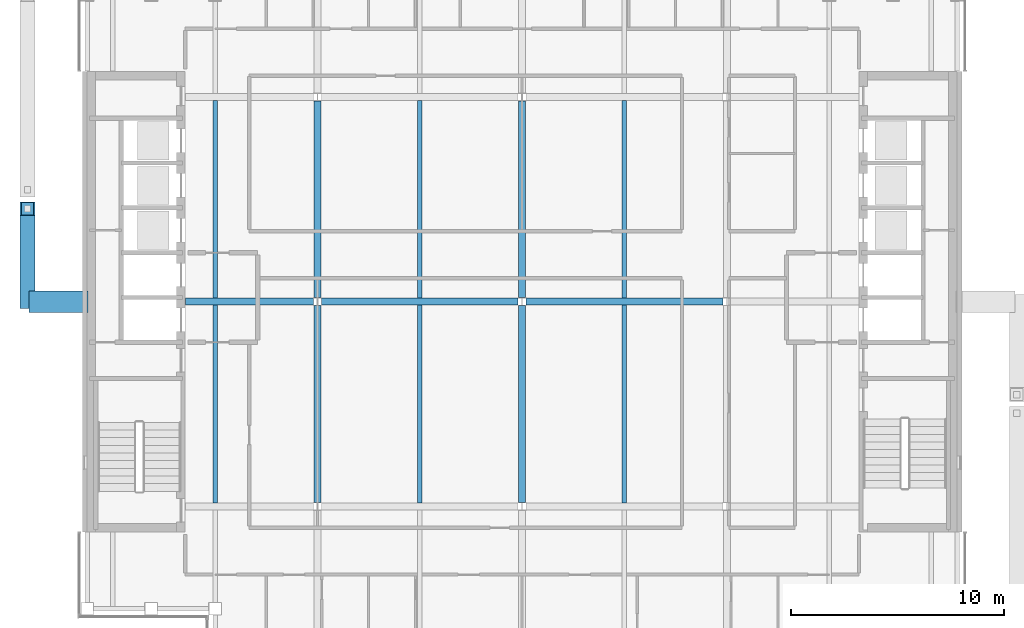
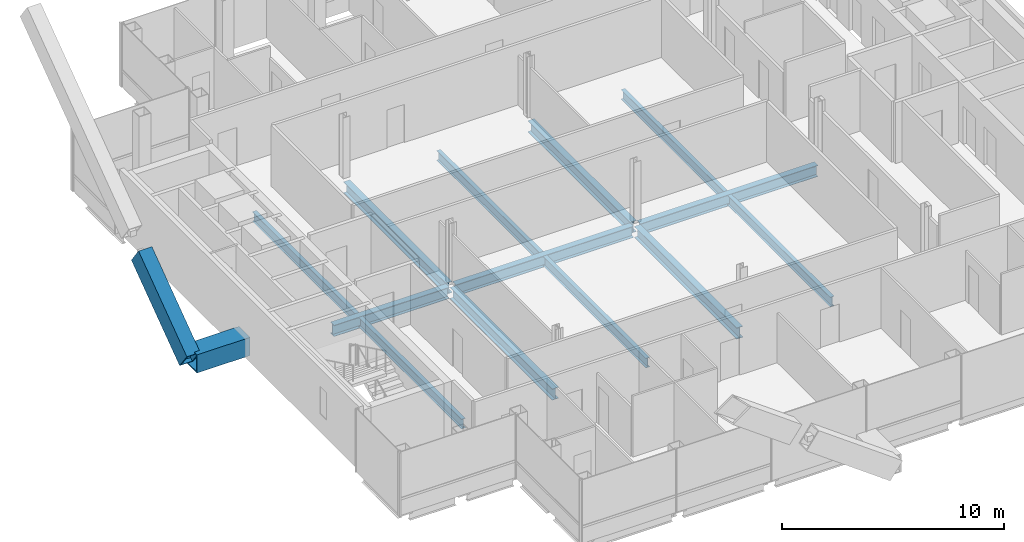
# One storey, part 5 of 15: 14 beams, 1 member.
"""IFC4 building model written with IfcOpenShell, lengths in metres."""

from ifc_helpers import new_model, si_unit, direction, frame, origin, origin_2d, place, context, subcontext, project, spatial, hollow_rectangle, i_section, extrude, material, material_profile, profile_set, type_object, element, save


model = new_model("IFC4")

# Units and contexts
model_context = context("Model", 3, precision=1e-05, world=origin(), true_north=direction((0.0, 1.0)))
body_context = subcontext(model_context, "Body", "Model", "MODEL_VIEW")
ifc_project = project(units=[si_unit("LENGTHUNIT", "METRE"), si_unit("AREAUNIT", "SQUARE_METRE"), si_unit("VOLUMEUNIT", "CUBIC_METRE"), si_unit("PLANEANGLEUNIT", "RADIAN"), si_unit("MASSUNIT", "GRAM", prefix="KILO")], contexts=[model_context])

# Site, building, storey
site_placement = place(None, origin())
site = spatial("IfcSite", under=ifc_project, at=site_placement, CompositionType="ELEMENT")
building_placement = place(site_placement, origin())
building = spatial("IfcBuilding", under=site, at=building_placement, Name="Cobrizo Arcos Hotel Tower", CompositionType="ELEMENT")
storey_placement = place(building_placement, frame((0.0, 0.0, 244.5)))
storey = spatial("IfcBuildingStorey", under=building, at=storey_placement, Name="L64", CompositionType="ELEMENT", Elevation=244.5)

# Beam
ifc_material_1 = material(Name="Steel ASTM A572 Grade 50", Category="steel")
ifc_material_profile_1 = material_profile(ifc_material_1, hollow_rectangle(XDim=1.0, YDim=1.0, WallThickness=0.06005859375, at=origin_2d()), Name="BOX 1000X1000X60")
ifc_profile_set_1 = profile_set([ifc_material_profile_1], Name="Steel ASTM A572 Grade 50")
beam_type_1 = type_object("IfcBeamType", Name="BOX 1000X1000X60 brace connector strut", PredefinedType="BEAM", material=ifc_profile_set_1)
beam_1_placement = place(storey_placement, frame((-20.35009765625, 0.0, 0.5), z_axis=(-1.0, 0.0, 0.0), x_axis=(0.0, -1.0, 0.0)))
element("IfcBeam", 1, at=beam_1_placement, inside=storey, type_object=beam_type_1, Name="Perimeter brace stub BS1, zone Z5, west face, offset +0.00 m, L64", PredefinedType="BEAM", context=body_context, shape_type="SweptSolid", body=[
    extrude(hollow_rectangle(XDim=1.0, YDim=1.0, WallThickness=0.06005859375, at=origin_2d()), origin(), (0.0, 0.0, 1.0), 2.77001953125),
])

# Member
ifc_material_profile_2 = material_profile(ifc_material_1, hollow_rectangle(XDim=0.699951171875, YDim=1.10009765625, WallThickness=0.06005859375, at=origin_2d()), Name="BOX 700X1100X60")
ifc_profile_set_2 = profile_set([ifc_material_profile_2], Name="Steel ASTM A572 Grade 50")
member_type = type_object("IfcMemberType", Name="BOX 700X1100X60 perimeter brace", PredefinedType="BRACE", material=ifc_profile_set_2)
member_placement = place(storey_placement, frame((-23.199951171875, 0.0, 0.5), z_axis=(0.0, 0.808011122183, 0.589167231292), x_axis=(-1.0, 0.0, 0.0)))
element("IfcMember", 2, at=member_placement, inside=storey, type_object=member_type, Name="Perimeter brace PBR5, zone Z5, west face, no. 01", PredefinedType="BRACE", context=body_context, shape_type="SweptSolid", body=[
    extrude(hollow_rectangle(XDim=0.699951171875, YDim=1.10009765625, WallThickness=0.06005859375, at=origin_2d()), origin(), (0.0, 0.0, 1.0), 5.392822265625),
])

# Beams
ifc_material_2 = material(Name="Steel ASTM A992 Grade 50", Category="steel")
ifc_material_profile_3 = material_profile(ifc_material_2, i_section(OverallWidth=0.209228515625, OverallDepth=0.533447265625, WebThickness=0.01025390625, FlangeThickness=0.015625, at=origin_2d()), Name="W21X62")
ifc_profile_set_3 = profile_set([ifc_material_profile_3], Name="Steel ASTM A992 Grade 50")
beam_type_2 = type_object("IfcBeamType", Name="W21X62 joist", PredefinedType="JOIST", material=ifc_profile_set_3)
for number, where, z_axis, x_axis, name in (
    (3, (-14.39990234375, -9.43603515625, -0.416748046875), (0.0, 1.0, 0.0), (-1.0, 0.0, 0.0), "Floor joist J1, L64, no. 004"),
    (4, (-14.39990234375, 0.163818359375, -0.416748046875), (0.0, 1.0, 0.0), (-1.0, 0.0, 0.0), "Floor joist J1, L64, no. 005"),
    (5, (-4.800048828125, -9.43603515625, -0.416748046875), (0.0, 1.0, 0.0), (-1.0, 0.0, 0.0), "Floor joist J1, L64, no. 008"),
    (6, (-4.800048828125, 0.163818359375, -0.416748046875), (0.0, 1.0, 0.0), (-1.0, 0.0, 0.0), "Floor joist J1, L64, no. 009"),
    (7, (4.800048828125, -9.43603515625, -0.416748046875), (0.0, 1.0, 0.0), (-1.0, 0.0, 0.0), "Floor joist J1, L64, no. 012"),
    (8, (4.800048828125, 0.163818359375, -0.416748046875), (0.0, 1.0, 0.0), (-1.0, 0.0, 0.0), "Floor joist J1, L64, no. 013"),
):
    element("IfcBeam", number, at=place(storey_placement, frame(where, z_axis=z_axis, x_axis=x_axis)), inside=storey, type_object=beam_type_2, Name=name, PredefinedType="JOIST", context=body_context, shape_type="SweptSolid", body=[
        extrude(i_section(OverallWidth=0.209228515625, OverallDepth=0.533447265625, WebThickness=0.01025390625, FlangeThickness=0.015625, at=origin_2d()), origin(), (0.0, 0.0, 1.0), 9.272216796875),
    ])
ifc_material_profile_4 = material_profile(ifc_material_2, i_section(OverallWidth=0.32763671875, OverallDepth=0.622314453125, WebThickness=0.015380859375, FlangeThickness=0.0244140625, at=origin_2d()), Name="W24X131")
ifc_profile_set_4 = profile_set([ifc_material_profile_4], Name="Steel ASTM A992 Grade 50")
beam_type_3 = type_object("IfcBeamType", Name="W24X131 girder", PredefinedType="BEAM", material=ifc_profile_set_4)
beam_2_placement = place(storey_placement, frame((-15.7900390625, 0.0, -0.461181640625), z_axis=(1.0, 0.0, 0.0), x_axis=(0.0, 1.0, 0.0)))
element("IfcBeam", 9, at=beam_2_placement, inside=storey, type_object=beam_type_3, Name="Floor girder G1, L64, no. 005", PredefinedType="BEAM", context=body_context, shape_type="SweptSolid", body=[
    extrude(i_section(OverallWidth=0.32763671875, OverallDepth=0.622314453125, WebThickness=0.015380859375, FlangeThickness=0.0244140625, at=origin_2d()), origin(), (0.0, 0.0, 1.0), 6.005859375),
])
for number, where, z_axis, x_axis, name in (
    (10, (-9.415771484375, 0.0, -0.461181640625), (1.0, 0.0, 0.0), (0.0, 1.0, 0.0), "Floor girder G1, L64, no. 006"),
    (11, (0.18408203125, 0.0, -0.461181640625), (1.0, 0.0, 0.0), (0.0, 1.0, 0.0), "Floor girder G1, L64, no. 007"),
    (12, (-9.60009765625, -9.415771484375, -0.461181640625), (0.0, 1.0, 0.0), (-1.0, 0.0, 0.0), "Floor girder G1, L64, no. 014"),
    (13, (-9.60009765625, 0.18408203125, -0.461181640625), (0.0, 1.0, 0.0), (-1.0, 0.0, 0.0), "Floor girder G1, L64, no. 015"),
    (14, (0.0, -9.415771484375, -0.461181640625), (0.0, 1.0, 0.0), (-1.0, 0.0, 0.0), "Floor girder G1, L64, no. 018"),
    (15, (0.0, 0.18408203125, -0.461181640625), (0.0, 1.0, 0.0), (-1.0, 0.0, 0.0), "Floor girder G1, L64, no. 019"),
):
    element("IfcBeam", number, at=place(storey_placement, frame(where, z_axis=z_axis, x_axis=x_axis)), inside=storey, type_object=beam_type_3, Name=name, PredefinedType="BEAM", context=body_context, shape_type="SweptSolid", body=[
        extrude(i_section(OverallWidth=0.32763671875, OverallDepth=0.622314453125, WebThickness=0.015380859375, FlangeThickness=0.0244140625, at=origin_2d()), origin(), (0.0, 0.0, 1.0), 9.231689453125),
    ])

save(model, "model.ifc")
